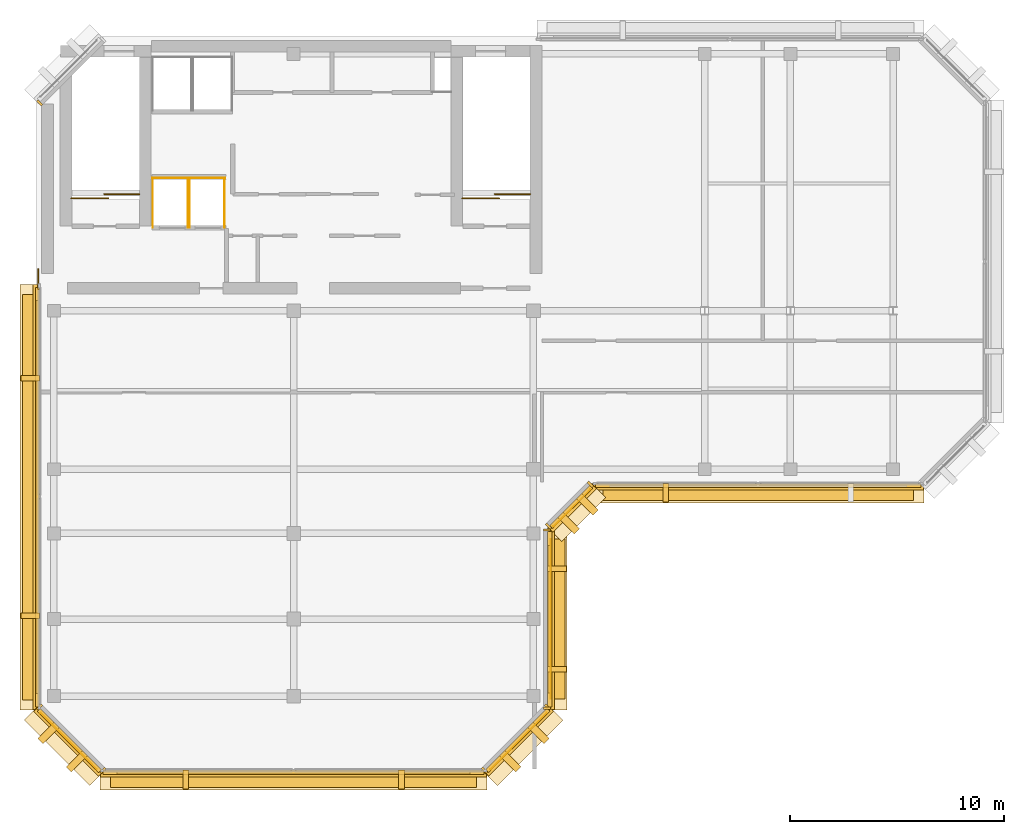
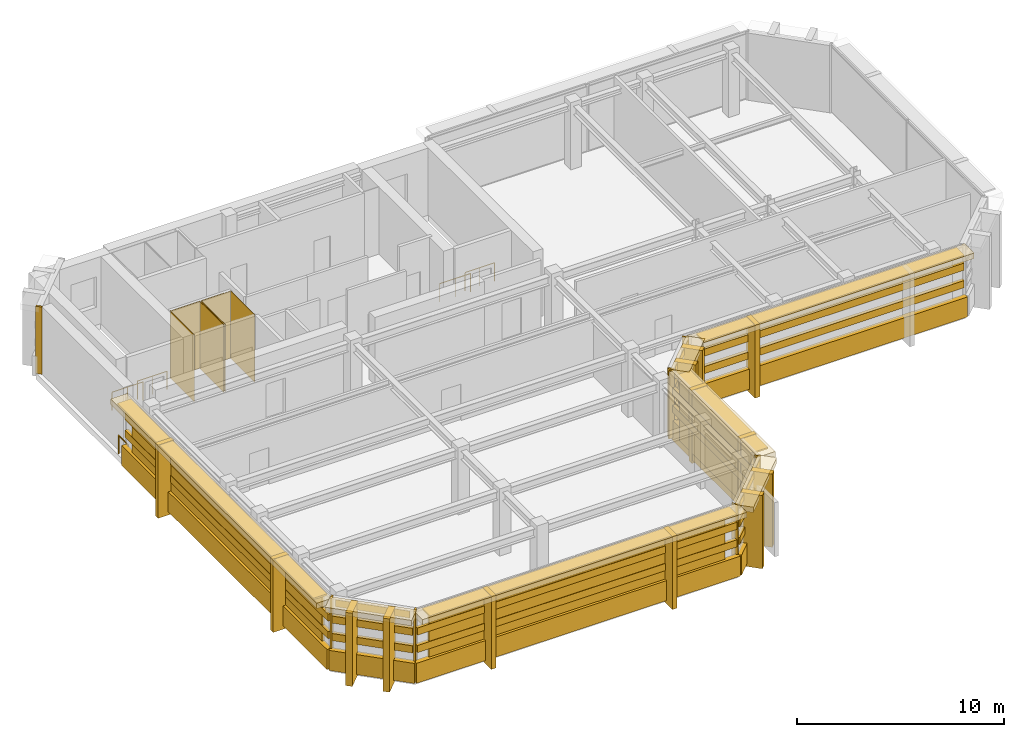
# One storey, part 6 of 7: 60 coverings, 7 shading devices, 5 railings.
"""IFC4 building model written with IfcOpenShell, lengths in metres."""

from ifc_helpers import new_model, si_unit, direction, frame, origin, origin_2d, place, context, subcontext, project, spatial, polyline, rectangle, circle, outline, extrude, material, layer, layer_set, type_object, element, save


model = new_model("IFC4")

# Units and contexts
model_context = context("Model", 3, precision=1e-05, world=origin(), true_north=direction((0.0, 1.0)))
body_context = subcontext(model_context, "Body", "Model", "MODEL_VIEW")
ifc_project = project(units=[si_unit("LENGTHUNIT", "METRE"), si_unit("AREAUNIT", "SQUARE_METRE"), si_unit("VOLUMEUNIT", "CUBIC_METRE"), si_unit("PLANEANGLEUNIT", "RADIAN"), si_unit("MASSUNIT", "GRAM", prefix="KILO")], contexts=[model_context])

# Site, building, storey
site_placement = place(None, origin())
site = spatial("IfcSite", under=ifc_project, at=site_placement, CompositionType="ELEMENT")
building_placement = place(site_placement, origin())
building = spatial("IfcBuilding", under=site, at=building_placement, Name="Kefirva Bronze Tower", CompositionType="ELEMENT")
storey_placement = place(building_placement, frame((0.0, 0.0, 369.929931640625)))
storey = spatial("IfcBuildingStorey", under=building, at=storey_placement, Name="L90", CompositionType="ELEMENT", Elevation=369.929931640625)

# Coverings
ifc_material_1 = material(Name="Bronze anodised aluminium", Category="aluminium")
ifc_layer_1 = layer(ifc_material_1, 0.02001953125, Name="Bronze anodised aluminium")
ifc_layer_set_1 = layer_set([ifc_layer_1], Name="Bronze anodised aluminium")
covering_type_1 = type_object("IfcCoveringType", Name="Anodised Bronze Spandrel Cladding 20mm", PredefinedType="CLADDING", material=ifc_layer_set_1)
covering_1_placement = place(storey_placement, frame((12.0, 11.56005859375, -0.15966796875), z_axis=(0.0, 0.0, 1.0), x_axis=(1.0, 0.0, 0.0)))
element("IfcCovering", 1, at=covering_1_placement, inside=storey, type_object=covering_type_1, Name="L90 Streamline Horizontal Spandrel Band 0", PredefinedType="CLADDING", context=body_context, shape_type="SweptSolid", body=[
    extrude(rectangle(XDim=18.0400390625, YDim=0.280029296875, at=origin_2d()), origin(), (0.0, 0.0, 1.0), 1.179931640625),
])
for number, where, z_axis, x_axis, name in (
    (2, (12.0, 11.639892578125, 1.532470703125), (0.0, 0.0, 1.0), (1.0, 0.0, 0.0), "L90 Recessed Zone-Break Bronze Louvre Band 0-1"),
    (3, (12.0, 11.639892578125, 2.56201171875), (0.0, 0.0, 1.0), (1.0, 0.0, 0.0), "L90 Recessed Zone-Break Bronze Louvre Band 0-2"),
):
    element("IfcCovering", number, at=place(storey_placement, frame(where, z_axis=z_axis, x_axis=x_axis)), inside=storey, type_object=covering_type_1, Name=name, PredefinedType="CLADDING", context=body_context, shape_type="SweptSolid", body=[
        extrude(rectangle(XDim=17.800048828125, YDim=0.199951171875, at=origin_2d()), origin(), (0.0, 0.0, 1.0), 0.419921875),
    ])
covering_2_placement = place(storey_placement, frame((22.507080078125, 13.093017578125, 3.5400390625), z_axis=(0.0, 0.0, 1.0), x_axis=(0.707106781187, 0.707106781187, 0.0)))
element("IfcCovering", 4, at=covering_2_placement, inside=storey, type_object=covering_type_1, Name="L90 Bronze Spandrel Cladding 1", PredefinedType="CLADDING", context=body_context, shape_type="SweptSolid", body=[
    extrude(rectangle(XDim=3.719482421875, YDim=0.02001953125, at=origin_2d()), origin(), (0.0, 0.0, 1.0), 0.39990234375),
])
for number, where, z_axis, x_axis, name in (
    (5, (20.91162109375, 11.73779296875, 0.0), (0.0, 0.0, 1.0), (0.707106781187, 0.707106781187, 0.0), "L90 Facade Joint Closure Panel 1S"),
    (6, (23.862060546875, 14.688232421875, 0.0), (0.0, 0.0, 1.0), (0.707106781187, 0.707106781187, 0.0), "L90 Facade Joint Closure Panel 1E"),
):
    element("IfcCovering", number, at=place(storey_placement, frame(where, z_axis=z_axis, x_axis=x_axis)), inside=storey, type_object=covering_type_1, Name=name, PredefinedType="CLADDING", context=body_context, shape_type="SweptSolid", body=[
        extrude(rectangle(XDim=0.10009765625, YDim=0.320068359375, at=origin_2d()), origin(), (0.0, 0.0, 1.0), 3.9599609375),
    ])
covering_3_placement = place(storey_placement, frame((22.5283203125, 13.07177734375, -0.15966796875), z_axis=(0.0, 0.0, 1.0), x_axis=(0.707106781187, 0.707106781187, 0.0)))
element("IfcCovering", 7, at=covering_3_placement, inside=storey, type_object=covering_type_1, Name="L90 Streamline Horizontal Spandrel Band 1", PredefinedType="CLADDING", context=body_context, shape_type="SweptSolid", body=[
    extrude(rectangle(XDim=4.28271484375, YDim=0.280029296875, at=origin_2d()), origin(), (0.0, 0.0, 1.0), 1.179931640625),
])
for number, where, z_axis, x_axis, name in (
    (8, (22.4716796875, 13.12841796875, 1.532470703125), (0.0, 0.0, 1.0), (0.707106781187, 0.707106781187, 0.0), "L90 Recessed Zone-Break Bronze Louvre Band 1-1"),
    (9, (22.4716796875, 13.12841796875, 2.56201171875), (0.0, 0.0, 1.0), (0.707106781187, 0.707106781187, 0.0), "L90 Recessed Zone-Break Bronze Louvre Band 1-2"),
):
    element("IfcCovering", number, at=place(storey_placement, frame(where, z_axis=z_axis, x_axis=x_axis)), inside=storey, type_object=covering_type_1, Name=name, PredefinedType="CLADDING", context=body_context, shape_type="SweptSolid", body=[
        extrude(rectangle(XDim=4.04248046875, YDim=0.199951171875, at=origin_2d()), origin(), (0.0, 0.0, 1.0), 0.419921875),
    ])
covering_4_placement = place(storey_placement, frame((24.010009765625, 18.800048828125, 3.5400390625), z_axis=(0.0, 0.0, 1.0), x_axis=(0.0, 1.0, 0.0)))
element("IfcCovering", 10, at=covering_4_placement, inside=storey, type_object=covering_type_1, Name="L90 Bronze Spandrel Cladding 2", PredefinedType="CLADDING", context=body_context, shape_type="SweptSolid", body=[
    extrude(rectangle(XDim=7.4609375, YDim=0.02001953125, at=origin_2d()), origin(), (0.0, 0.0, 1.0), 0.39990234375),
])
for number, where, z_axis, x_axis, name in (
    (11, (23.840087890625, 14.635009765625, 0.0), (0.0, 0.0, 1.0), (0.0, 1.0, 0.0), "L90 Facade Joint Closure Panel 2S"),
    (12, (23.840087890625, 22.965087890625, 0.0), (0.0, 0.0, 1.0), (0.0, 1.0, 0.0), "L90 Facade Joint Closure Panel 2E"),
):
    element("IfcCovering", number, at=place(storey_placement, frame(where, z_axis=z_axis, x_axis=x_axis)), inside=storey, type_object=covering_type_1, Name=name, PredefinedType="CLADDING", context=body_context, shape_type="SweptSolid", body=[
        extrude(rectangle(XDim=0.10009765625, YDim=0.320068359375, at=origin_2d()), origin(), (0.0, 0.0, 1.0), 3.9599609375),
    ])
covering_5_placement = place(storey_placement, frame((24.0400390625, 18.800048828125, -0.15966796875), z_axis=(0.0, 0.0, 1.0), x_axis=(0.0, 1.0, 0.0)))
element("IfcCovering", 13, at=covering_5_placement, inside=storey, type_object=covering_type_1, Name="L90 Streamline Horizontal Spandrel Band 2", PredefinedType="CLADDING", context=body_context, shape_type="SweptSolid", body=[
    extrude(rectangle(XDim=8.43994140625, YDim=0.280029296875, at=origin_2d()), origin(), (0.0, 0.0, 1.0), 1.179931640625),
])
for number, where, z_axis, x_axis, name in (
    (14, (23.9599609375, 18.800048828125, 1.532470703125), (0.0, 0.0, 1.0), (0.0, 1.0, 0.0), "L90 Recessed Zone-Break Bronze Louvre Band 2-1"),
    (15, (23.9599609375, 18.800048828125, 2.56201171875), (0.0, 0.0, 1.0), (0.0, 1.0, 0.0), "L90 Recessed Zone-Break Bronze Louvre Band 2-2"),
):
    element("IfcCovering", number, at=place(storey_placement, frame(where, z_axis=z_axis, x_axis=x_axis)), inside=storey, type_object=covering_type_1, Name=name, PredefinedType="CLADDING", context=body_context, shape_type="SweptSolid", body=[
        extrude(rectangle(XDim=8.199951171875, YDim=0.199951171875, at=origin_2d()), origin(), (0.0, 0.0, 1.0), 0.419921875),
    ])
covering_6_placement = place(storey_placement, frame((25.007080078125, 23.992919921875, 3.5400390625), z_axis=(0.0, 0.0, 1.0), x_axis=(0.707106781187, 0.707106781187, 0.0)))
element("IfcCovering", 16, at=covering_6_placement, inside=storey, type_object=covering_type_1, Name="L90 Bronze Spandrel Cladding 3", PredefinedType="CLADDING", context=body_context, shape_type="SweptSolid", body=[
    extrude(rectangle(XDim=2.446533203125, YDim=0.02001953125, at=origin_2d()), origin(), (0.0, 0.0, 1.0), 0.39990234375),
])
for number, where, z_axis, x_axis, name in (
    (17, (23.91162109375, 23.137939453125, 0.0), (0.0, 0.0, 1.0), (0.707106781187, 0.707106781187, 0.0), "L90 Facade Joint Closure Panel 3S"),
    (18, (25.862060546875, 25.08837890625, 0.0), (0.0, 0.0, 1.0), (0.707106781187, 0.707106781187, 0.0), "L90 Facade Joint Closure Panel 3E"),
):
    element("IfcCovering", number, at=place(storey_placement, frame(where, z_axis=z_axis, x_axis=x_axis)), inside=storey, type_object=covering_type_1, Name=name, PredefinedType="CLADDING", context=body_context, shape_type="SweptSolid", body=[
        extrude(rectangle(XDim=0.10009765625, YDim=0.320068359375, at=origin_2d()), origin(), (0.0, 0.0, 1.0), 3.9599609375),
    ])
covering_7_placement = place(storey_placement, frame((25.0283203125, 23.9716796875, -0.15966796875), z_axis=(0.0, 0.0, 1.0), x_axis=(0.707106781187, 0.707106781187, 0.0)))
element("IfcCovering", 19, at=covering_7_placement, inside=storey, type_object=covering_type_1, Name="L90 Streamline Horizontal Spandrel Band 3", PredefinedType="CLADDING", context=body_context, shape_type="SweptSolid", body=[
    extrude(rectangle(XDim=2.868408203125, YDim=0.280029296875, at=origin_2d()), origin(), (0.0, 0.0, 1.0), 1.179931640625),
])
for number, where, z_axis, x_axis, name in (
    (20, (24.9716796875, 24.0283203125, 1.532470703125), (0.0, 0.0, 1.0), (0.707106781187, 0.707106781187, 0.0), "L90 Recessed Zone-Break Bronze Louvre Band 3-1"),
    (21, (24.9716796875, 24.0283203125, 2.56201171875), (0.0, 0.0, 1.0), (0.707106781187, 0.707106781187, 0.0), "L90 Recessed Zone-Break Bronze Louvre Band 3-2"),
):
    element("IfcCovering", number, at=place(storey_placement, frame(where, z_axis=z_axis, x_axis=x_axis)), inside=storey, type_object=covering_type_1, Name=name, PredefinedType="CLADDING", context=body_context, shape_type="SweptSolid", body=[
        extrude(rectangle(XDim=2.62841796875, YDim=0.199951171875, at=origin_2d()), origin(), (0.0, 0.0, 1.0), 0.419921875),
    ])
covering_8_placement = place(storey_placement, frame((33.699951171875, 24.9599609375, -0.15966796875), z_axis=(0.0, 0.0, 1.0), x_axis=(1.0, 0.0, 0.0)))
element("IfcCovering", 22, at=covering_8_placement, inside=storey, type_object=covering_type_1, Name="L90 Streamline Horizontal Spandrel Band 4", PredefinedType="CLADDING", context=body_context, shape_type="SweptSolid", body=[
    extrude(rectangle(XDim=15.43994140625, YDim=0.280029296875, at=origin_2d()), origin(), (0.0, 0.0, 1.0), 1.179931640625),
])
for number, where, z_axis, x_axis, name in (
    (23, (33.699951171875, 25.0400390625, 1.532470703125), (0.0, 0.0, 1.0), (1.0, 0.0, 0.0), "L90 Recessed Zone-Break Bronze Louvre Band 4-1"),
    (24, (33.699951171875, 25.0400390625, 2.56201171875), (0.0, 0.0, 1.0), (1.0, 0.0, 0.0), "L90 Recessed Zone-Break Bronze Louvre Band 4-2"),
):
    element("IfcCovering", number, at=place(storey_placement, frame(where, z_axis=z_axis, x_axis=x_axis)), inside=storey, type_object=covering_type_1, Name=name, PredefinedType="CLADDING", context=body_context, shape_type="SweptSolid", body=[
        extrude(rectangle(XDim=15.199951171875, YDim=0.199951171875, at=origin_2d()), origin(), (0.0, 0.0, 1.0), 0.419921875),
    ])
covering_9_placement = place(storey_placement, frame((0.137939453125, 42.91162109375, 0.0), z_axis=(0.0, 0.0, 1.0), x_axis=(-0.707106781187, -0.707106781187, 0.0)))
element("IfcCovering", 25, at=covering_9_placement, inside=storey, type_object=covering_type_1, Name="L90 Facade Joint Closure Panel 6E", PredefinedType="CLADDING", context=body_context, shape_type="SweptSolid", body=[
    extrude(rectangle(XDim=0.10009765625, YDim=0.320068359375, at=origin_2d()), origin(), (0.0, 0.0, 1.0), 3.9599609375),
])
covering_10_placement = place(storey_placement, frame((-0.0400390625, 24.49755859375, -0.15966796875), z_axis=(0.0, 0.0, 1.0), x_axis=(0.0, -1.0, 0.0)))
element("IfcCovering", 26, at=covering_10_placement, inside=storey, type_object=covering_type_1, Name="L90 Streamline Horizontal Spandrel Band 10", PredefinedType="CLADDING", context=body_context, shape_type="SweptSolid", body=[
    extrude(rectangle(XDim=19.8349609375, YDim=0.280029296875, at=origin_2d()), origin(), (0.0, 0.0, 1.0), 1.179931640625),
])
for number, where, z_axis, x_axis, name in (
    (27, (0.0400390625, 24.49755859375, 1.532470703125), (0.0, 0.0, 1.0), (0.0, -1.0, 0.0), "L90 Recessed Zone-Break Bronze Louvre Band 10-1"),
    (28, (0.0400390625, 24.49755859375, 2.56201171875), (0.0, 0.0, 1.0), (0.0, -1.0, 0.0), "L90 Recessed Zone-Break Bronze Louvre Band 10-2"),
):
    element("IfcCovering", number, at=place(storey_placement, frame(where, z_axis=z_axis, x_axis=x_axis)), inside=storey, type_object=covering_type_1, Name=name, PredefinedType="CLADDING", context=body_context, shape_type="SweptSolid", body=[
        extrude(rectangle(XDim=19.594970703125, YDim=0.199951171875, at=origin_2d()), origin(), (0.0, 0.0, 1.0), 0.419921875),
    ])
covering_11_placement = place(storey_placement, frame((1.492919921875, 13.093017578125, 3.5400390625), z_axis=(0.0, 0.0, 1.0), x_axis=(0.707106781187, -0.707106781187, 0.0)))
element("IfcCovering", 29, at=covering_11_placement, inside=storey, type_object=covering_type_1, Name="L90 Bronze Spandrel Cladding 7", PredefinedType="CLADDING", context=body_context, shape_type="SweptSolid", body=[
    extrude(rectangle(XDim=3.719482421875, YDim=0.02001953125, at=origin_2d()), origin(), (0.0, 0.0, 1.0), 0.39990234375),
])
for number, where, z_axis, x_axis, name in (
    (30, (0.137939453125, 14.688232421875, 0.0), (0.0, 0.0, 1.0), (0.707106781187, -0.707106781187, 0.0), "L90 Facade Joint Closure Panel 7S"),
    (31, (3.08837890625, 11.73779296875, 0.0), (0.0, 0.0, 1.0), (0.707106781187, -0.707106781187, 0.0), "L90 Facade Joint Closure Panel 7E"),
):
    element("IfcCovering", number, at=place(storey_placement, frame(where, z_axis=z_axis, x_axis=x_axis)), inside=storey, type_object=covering_type_1, Name=name, PredefinedType="CLADDING", context=body_context, shape_type="SweptSolid", body=[
        extrude(rectangle(XDim=0.10009765625, YDim=0.320068359375, at=origin_2d()), origin(), (0.0, 0.0, 1.0), 3.9599609375),
    ])
covering_12_placement = place(storey_placement, frame((1.4716796875, 13.07177734375, -0.15966796875), z_axis=(0.0, 0.0, 1.0), x_axis=(0.707106781187, -0.707106781187, 0.0)))
element("IfcCovering", 32, at=covering_12_placement, inside=storey, type_object=covering_type_1, Name="L90 Streamline Horizontal Spandrel Band 11", PredefinedType="CLADDING", context=body_context, shape_type="SweptSolid", body=[
    extrude(rectangle(XDim=4.28271484375, YDim=0.280029296875, at=origin_2d()), origin(), (0.0, 0.0, 1.0), 1.179931640625),
])
for number, where, z_axis, x_axis, name in (
    (33, (1.5283203125, 13.12841796875, 1.532470703125), (0.0, 0.0, 1.0), (0.707106781187, -0.707106781187, 0.0), "L90 Recessed Zone-Break Bronze Louvre Band 11-1"),
    (34, (1.5283203125, 13.12841796875, 2.56201171875), (0.0, 0.0, 1.0), (0.707106781187, -0.707106781187, 0.0), "L90 Recessed Zone-Break Bronze Louvre Band 11-2"),
):
    element("IfcCovering", number, at=place(storey_placement, frame(where, z_axis=z_axis, x_axis=x_axis)), inside=storey, type_object=covering_type_1, Name=name, PredefinedType="CLADDING", context=body_context, shape_type="SweptSolid", body=[
        extrude(rectangle(XDim=4.04248046875, YDim=0.199951171875, at=origin_2d()), origin(), (0.0, 0.0, 1.0), 0.419921875),
    ])
covering_13_placement = place(storey_placement, origin())
element("IfcCovering", 35, at=covering_13_placement, inside=storey, type_object=covering_type_1, Name="L90 Lift FF1 Hoistway Liner N", PredefinedType="CLADDING", context=body_context, shape_type="SweptSolid", body=[
    extrude(outline(polyline([(5.39990234375, 39.389892578125), (7.080078125, 39.389892578125), (7.080078125, 39.409912109375), (5.39990234375, 39.409912109375), (5.39990234375, 39.389892578125)])), origin(), (0.0, 0.0, 1.0), 3.9599609375),
])
covering_14_placement = place(storey_placement, origin())
element("IfcCovering", 36, at=covering_14_placement, inside=storey, type_object=covering_type_1, Name="L90 Lift FF1 Hoistway Liner W", PredefinedType="CLADDING", context=body_context, shape_type="SweptSolid", body=[
    extrude(outline(polyline([(5.409912109375, 37.080078125), (5.429931640625, 37.080078125), (5.429931640625, 39.419921875), (5.409912109375, 39.419921875), (5.409912109375, 37.080078125)])), origin(), (0.0, 0.0, 1.0), 3.9599609375),
])
covering_15_placement = place(storey_placement, origin())
element("IfcCovering", 37, at=covering_15_placement, inside=storey, type_object=covering_type_1, Name="L90 Lift FF1 Hoistway Liner E", PredefinedType="CLADDING", context=body_context, shape_type="SweptSolid", body=[
    extrude(outline(polyline([(7.050048828125, 37.080078125), (7.070068359375, 37.080078125), (7.070068359375, 39.419921875), (7.050048828125, 39.419921875), (7.050048828125, 37.080078125)])), origin(), (0.0, 0.0, 1.0), 3.9599609375),
])
covering_16_placement = place(storey_placement, origin())
element("IfcCovering", 38, at=covering_16_placement, inside=storey, type_object=covering_type_1, Name="L90 Lift FF2 Hoistway Liner N", PredefinedType="CLADDING", context=body_context, shape_type="SweptSolid", body=[
    extrude(outline(polyline([(7.1201171875, 39.389892578125), (8.800048828125, 39.389892578125), (8.800048828125, 39.409912109375), (7.1201171875, 39.409912109375), (7.1201171875, 39.389892578125)])), origin(), (0.0, 0.0, 1.0), 3.9599609375),
])
covering_17_placement = place(storey_placement, origin())
element("IfcCovering", 39, at=covering_17_placement, inside=storey, type_object=covering_type_1, Name="L90 Lift FF2 Hoistway Liner W", PredefinedType="CLADDING", context=body_context, shape_type="SweptSolid", body=[
    extrude(outline(polyline([(7.1298828125, 37.080078125), (7.14990234375, 37.080078125), (7.14990234375, 39.419921875), (7.1298828125, 39.419921875), (7.1298828125, 37.080078125)])), origin(), (0.0, 0.0, 1.0), 3.9599609375),
])
covering_18_placement = place(storey_placement, origin())
element("IfcCovering", 40, at=covering_18_placement, inside=storey, type_object=covering_type_1, Name="L90 Lift FF2 Hoistway Liner E", PredefinedType="CLADDING", context=body_context, shape_type="SweptSolid", body=[
    extrude(outline(polyline([(8.77001953125, 37.080078125), (8.7900390625, 37.080078125), (8.7900390625, 39.419921875), (8.77001953125, 39.419921875), (8.77001953125, 37.080078125)])), origin(), (0.0, 0.0, 1.0), 3.9599609375),
])

# Shading devices
ifc_layer_2 = layer(ifc_material_1, 0.090087890625, Name="Bronze anodised aluminium")
ifc_layer_set_2 = layer_set([ifc_layer_2], Name="Bronze anodised aluminium")
shading_device_type_1 = type_object("IfcShadingDeviceType", Name="Horizontal Bronze Sunshade Band 750mm", PredefinedType="JALOUSIE", material=ifc_layer_set_2)
shading_device_1_placement = place(storey_placement, frame((12.0, 11.304931640625, 3.85498046875), z_axis=(0.0, 0.0, 1.0), x_axis=(1.0, 0.0, 0.0)))
element("IfcShadingDevice", 41, at=shading_device_1_placement, inside=storey, type_object=shading_device_type_1, Name="L90 Horizontal Bronze Sunshade Band 0", PredefinedType="JALOUSIE", context=body_context, shape_type="SweptSolid", body=[
    extrude(rectangle(XDim=17.090087890625, YDim=0.75, at=origin_2d()), origin(), (0.0, 0.0, 1.0), 0.090087890625),
])
shading_device_2_placement = place(storey_placement, frame((24.294921875, 18.800048828125, 3.85498046875), z_axis=(0.0, 0.0, 1.0), x_axis=(0.0, 1.0, 0.0)))
element("IfcShadingDevice", 42, at=shading_device_2_placement, inside=storey, type_object=shading_device_type_1, Name="L90 Horizontal Bronze Sunshade Band 2", PredefinedType="JALOUSIE", context=body_context, shape_type="SweptSolid", body=[
    extrude(rectangle(XDim=7.489990234375, YDim=0.75, at=origin_2d()), origin(), (0.0, 0.0, 1.0), 0.090087890625),
])
shading_device_3_placement = place(storey_placement, frame((33.699951171875, 24.705078125, 3.85498046875), z_axis=(0.0, 0.0, 1.0), x_axis=(1.0, 0.0, 0.0)))
element("IfcShadingDevice", 43, at=shading_device_3_placement, inside=storey, type_object=shading_device_type_1, Name="L90 Horizontal Bronze Sunshade Band 4", PredefinedType="JALOUSIE", context=body_context, shape_type="SweptSolid", body=[
    extrude(rectangle(XDim=14.489990234375, YDim=0.75, at=origin_2d()), origin(), (0.0, 0.0, 1.0), 0.090087890625),
])
shading_device_4_placement = place(storey_placement, frame((-0.294921875, 24.49755859375, 3.85498046875), z_axis=(0.0, 0.0, 1.0), x_axis=(0.0, -1.0, 0.0)))
element("IfcShadingDevice", 44, at=shading_device_4_placement, inside=storey, type_object=shading_device_type_1, Name="L90 Horizontal Bronze Sunshade Band 10", PredefinedType="JALOUSIE", context=body_context, shape_type="SweptSolid", body=[
    extrude(rectangle(XDim=18.93994140625, YDim=0.75, at=origin_2d()), origin(), (0.0, 0.0, 1.0), 0.090087890625),
])

# Railings
ifc_material_2 = material(Name="Stainless steel 316", Category="steel")
railing_type = type_object("IfcRailingType", Name="Interior Stair Guardrail 1100mm", PredefinedType="GUARDRAIL", material=ifc_material_2)
for number, where, name in (
    (45, (4.800048828125, 38.64990234375, 0.0), "L90 ST-1 top well guard 1"),
    (46, (23.050048828125, 38.64990234375, 0.0), "L90 ST-2 top well guard 1"),
):
    element("IfcRailing", number, at=place(storey_placement, frame(where)), inside=storey, type_object=railing_type, Name=name, PredefinedType="GUARDRAIL", context=body_context, shape_type="SweptSolid", body=[
        extrude(circle(Radius=0.02392578125, at=origin_2d()), frame((0.0, 0.0, 1.076171875), z_axis=(-1.0, 0.0, 0.0), x_axis=(0.0, -1.0, 0.0)), (0.0, 0.0, 1.0), 1.650146484375),
        extrude(circle(Radius=0.02099609375, at=origin_2d()), origin(), (0.0, 0.0, 1.0), 1.052001953125),
        extrude(circle(Radius=0.02099609375, at=origin_2d()), frame((-0.8251953125, 0.0, 0.0)), (0.0, 0.0, 1.0), 1.052001953125),
        extrude(circle(Radius=0.02099609375, at=origin_2d()), frame((-1.650146484375, 0.0, 0.0)), (0.0, 0.0, 1.0), 1.052001953125),
    ])
railing_1_placement = place(storey_placement, frame((1.6201171875, 38.449951171875, 0.0)))
element("IfcRailing", 47, at=railing_1_placement, inside=storey, type_object=railing_type, Name="L90 Stair 1 Top Well Guardrail", PredefinedType="GUARDRAIL", context=body_context, shape_type="SweptSolid", body=[
    extrude(circle(Radius=0.02392578125, at=origin_2d()), frame((0.0, 0.0, 1.076171875), z_axis=(1.0, 0.0, 0.0), x_axis=(0.0, 1.0, 0.0)), (0.0, 0.0, 1.0), 1.72998046875),
    extrude(circle(Radius=0.02099609375, at=origin_2d()), origin(), (0.0, 0.0, 1.0), 1.052001953125),
    extrude(circle(Radius=0.02099609375, at=origin_2d()), frame((0.864990234375, 0.0, 0.0)), (0.0, 0.0, 1.0), 1.052001953125),
    extrude(circle(Radius=0.02099609375, at=origin_2d()), frame((1.72998046875, 0.0, 0.0)), (0.0, 0.0, 1.0), 1.052001953125),
])
railing_2_placement = place(storey_placement, frame((19.8798828125, 38.449951171875, 0.0)))
element("IfcRailing", 48, at=railing_2_placement, inside=storey, type_object=railing_type, Name="L90 Stair 2 Top Well Guardrail", PredefinedType="GUARDRAIL", context=body_context, shape_type="SweptSolid", body=[
    extrude(circle(Radius=0.02392578125, at=origin_2d()), frame((0.0, 0.0, 1.076171875), z_axis=(1.0, 0.0, 0.0), x_axis=(0.0, 1.0, 0.0)), (0.0, 0.0, 1.0), 1.72021484375),
    extrude(circle(Radius=0.02099609375, at=origin_2d()), origin(), (0.0, 0.0, 1.0), 1.052001953125),
    extrude(circle(Radius=0.02099609375, at=origin_2d()), frame((0.860107421875, 0.0, 0.0)), (0.0, 0.0, 1.0), 1.052001953125),
    extrude(circle(Radius=0.02099609375, at=origin_2d()), frame((1.72021484375, 0.0, 0.0)), (0.0, 0.0, 1.0), 1.052001953125),
])
railing_3_placement = place(storey_placement, frame((0.080078125, 34.199951171875, 0.0)))
element("IfcRailing", 49, at=railing_3_placement, inside=storey, type_object=railing_type, Name="L90 West Core Junction Guardrail", PredefinedType="GUARDRAIL", context=body_context, shape_type="SweptSolid", body=[
    extrude(circle(Radius=0.02392578125, at=origin_2d()), frame((0.0, 0.0, 1.076171875), z_axis=(0.0, 1.0, 0.0), x_axis=(-1.0, 0.0, 0.0)), (0.0, 0.0, 1.0), 0.949951171875),
    extrude(circle(Radius=0.02099609375, at=origin_2d()), origin(), (0.0, 0.0, 1.0), 1.052001953125),
    extrude(circle(Radius=0.02099609375, at=origin_2d()), frame((0.0, 0.949951171875, 0.0)), (0.0, 0.0, 1.0), 1.052001953125),
])

# Shading devices
ifc_layer_3 = layer(ifc_material_1, 0.159912109375, Name="Bronze anodised aluminium")
ifc_layer_set_3 = layer_set([ifc_layer_3], Name="Bronze anodised aluminium")
shading_device_type_2 = type_object("IfcShadingDeviceType", Name="Recessed Zone-Break Acoustic Louvre Screen", PredefinedType="SHUTTER", material=ifc_layer_set_3)
shading_device_5_placement = place(storey_placement, frame((12.0, 11.639892578125, 0.25), z_axis=(0.0, 0.0, 1.0), x_axis=(1.0, 0.0, 0.0)))
element("IfcShadingDevice", 50, at=shading_device_5_placement, inside=storey, type_object=shading_device_type_2, Name="L90 Acoustic Plant Louvre Screen 0", PredefinedType="SHUTTER", context=body_context, shape_type="SweptSolid", body=[
    extrude(rectangle(XDim=16.489990234375, YDim=0.159912109375, at=origin_2d()), origin(), (0.0, 0.0, 1.0), 3.4599609375),
])
shading_device_6_placement = place(storey_placement, frame((23.9599609375, 18.800048828125, 0.25), z_axis=(0.0, 0.0, 1.0), x_axis=(0.0, 1.0, 0.0)))
element("IfcShadingDevice", 51, at=shading_device_6_placement, inside=storey, type_object=shading_device_type_2, Name="L90 Acoustic Plant Louvre Screen 2", PredefinedType="SHUTTER", context=body_context, shape_type="SweptSolid", body=[
    extrude(rectangle(XDim=6.889892578125, YDim=0.159912109375, at=origin_2d()), origin(), (0.0, 0.0, 1.0), 3.4599609375),
])
shading_device_7_placement = place(storey_placement, frame((0.0400390625, 24.49755859375, 0.25), z_axis=(0.0, 0.0, 1.0), x_axis=(0.0, -1.0, 0.0)))
element("IfcShadingDevice", 52, at=shading_device_7_placement, inside=storey, type_object=shading_device_type_2, Name="L90 Acoustic Plant Louvre Screen 10", PredefinedType="SHUTTER", context=body_context, shape_type="SweptSolid", body=[
    extrude(rectangle(XDim=18.340087890625, YDim=0.159912109375, at=origin_2d()), origin(), (0.0, 0.0, 1.0), 3.4599609375),
])

# Coverings
ifc_layer_4 = layer(ifc_material_1, 0.179931640625, Name="Bronze anodised aluminium")
ifc_layer_set_4 = layer_set([ifc_layer_4], Name="Bronze anodised aluminium")
covering_type_2 = type_object("IfcCoveringType", Name="Streamline Bronze Sunshade Eyebrow Cladding 180mm", PredefinedType="CLADDING", material=ifc_layer_set_4)
covering_19_placement = place(storey_placement, frame((12.0, 11.2900390625, 3.64013671875), z_axis=(0.0, 0.0, 1.0), x_axis=(1.0, 0.0, 0.0)))
element("IfcCovering", 53, at=covering_19_placement, inside=storey, type_object=covering_type_2, Name="L90 Streamline Bronze Sunshade Eyebrow 0", PredefinedType="CLADDING", context=body_context, shape_type="SweptSolid", body=[
    extrude(rectangle(XDim=18.080078125, YDim=0.93994140625, at=origin_2d()), origin(), (0.0, 0.0, 1.0), 0.320068359375),
])
covering_20_placement = place(storey_placement, frame((22.71923828125, 12.880859375, 3.64013671875), z_axis=(0.0, 0.0, 1.0), x_axis=(0.707106781187, 0.707106781187, 0.0)))
element("IfcCovering", 54, at=covering_20_placement, inside=storey, type_object=covering_type_2, Name="L90 Streamline Bronze Sunshade Eyebrow 1", PredefinedType="CLADDING", context=body_context, shape_type="SweptSolid", body=[
    extrude(rectangle(XDim=4.322509765625, YDim=0.93994140625, at=origin_2d()), origin(), (0.0, 0.0, 1.0), 0.320068359375),
])
covering_21_placement = place(storey_placement, frame((24.31005859375, 18.800048828125, 3.64013671875), z_axis=(0.0, 0.0, 1.0), x_axis=(0.0, 1.0, 0.0)))
element("IfcCovering", 55, at=covering_21_placement, inside=storey, type_object=covering_type_2, Name="L90 Streamline Bronze Sunshade Eyebrow 2", PredefinedType="CLADDING", context=body_context, shape_type="SweptSolid", body=[
    extrude(rectangle(XDim=8.47998046875, YDim=0.93994140625, at=origin_2d()), origin(), (0.0, 0.0, 1.0), 0.320068359375),
])
covering_22_placement = place(storey_placement, frame((25.21923828125, 23.78076171875, 3.64013671875), z_axis=(0.0, 0.0, 1.0), x_axis=(0.707106781187, 0.707106781187, 0.0)))
element("IfcCovering", 56, at=covering_22_placement, inside=storey, type_object=covering_type_2, Name="L90 Streamline Bronze Sunshade Eyebrow 3", PredefinedType="CLADDING", context=body_context, shape_type="SweptSolid", body=[
    extrude(rectangle(XDim=2.908447265625, YDim=0.93994140625, at=origin_2d()), origin(), (0.0, 0.0, 1.0), 0.320068359375),
])
covering_23_placement = place(storey_placement, frame((33.699951171875, 24.68994140625, 3.64013671875), z_axis=(0.0, 0.0, 1.0), x_axis=(1.0, 0.0, 0.0)))
element("IfcCovering", 57, at=covering_23_placement, inside=storey, type_object=covering_type_2, Name="L90 Streamline Bronze Sunshade Eyebrow 4", PredefinedType="CLADDING", context=body_context, shape_type="SweptSolid", body=[
    extrude(rectangle(XDim=15.47998046875, YDim=0.93994140625, at=origin_2d()), origin(), (0.0, 0.0, 1.0), 0.320068359375),
])
covering_24_placement = place(storey_placement, frame((-0.31005859375, 24.49755859375, 3.64013671875), z_axis=(0.0, 0.0, 1.0), x_axis=(0.0, -1.0, 0.0)))
element("IfcCovering", 58, at=covering_24_placement, inside=storey, type_object=covering_type_2, Name="L90 Streamline Bronze Sunshade Eyebrow 10", PredefinedType="CLADDING", context=body_context, shape_type="SweptSolid", body=[
    extrude(rectangle(XDim=19.875, YDim=0.93994140625, at=origin_2d()), origin(), (0.0, 0.0, 1.0), 0.320068359375),
])
covering_25_placement = place(storey_placement, frame((1.28076171875, 12.880859375, 3.64013671875), z_axis=(0.0, 0.0, 1.0), x_axis=(0.707106781187, -0.707106781187, 0.0)))
element("IfcCovering", 59, at=covering_25_placement, inside=storey, type_object=covering_type_2, Name="L90 Streamline Bronze Sunshade Eyebrow 11", PredefinedType="CLADDING", context=body_context, shape_type="SweptSolid", body=[
    extrude(rectangle(XDim=4.322509765625, YDim=0.93994140625, at=origin_2d()), origin(), (0.0, 0.0, 1.0), 0.320068359375),
])
ifc_layer_5 = layer(ifc_material_1, 0.260009765625, Name="Bronze anodised aluminium")
ifc_layer_set_5 = layer_set([ifc_layer_5], Name="Bronze anodised aluminium")
covering_type_3 = type_object("IfcCoveringType", Name="Unbroken Bronze Buttress Fin Cladding 260mm", PredefinedType="CLADDING", material=ifc_layer_set_5)
for number, where, z_axis, x_axis, name in (
    (60, (6.9599609375, 11.300048828125, -0.349853515625), (0.0, 0.0, 1.0), (1.0, 0.0, 0.0), "L90 Unbroken Vertical Bronze Rib Fin 1"),
    (61, (17.0400390625, 11.300048828125, -0.349853515625), (0.0, 0.0, 1.0), (1.0, 0.0, 0.0), "L90 Unbroken Vertical Bronze Rib Fin 2"),
):
    element("IfcCovering", number, at=place(storey_placement, frame(where, z_axis=z_axis, x_axis=x_axis)), inside=storey, type_object=covering_type_3, Name=name, PredefinedType="CLADDING", context=body_context, shape_type="SweptSolid", body=[
        extrude(rectangle(XDim=0.260009765625, YDim=0.8798828125, at=origin_2d()), origin(), (0.0, 0.0, 1.0), 4.31005859375),
    ])
for number, where, z_axis, x_axis, name in (
    (62, (22.122802734375, 12.1572265625, -0.349853515625), (0.0, 0.0, 1.0), (0.707106781187, 0.707106781187, 0.0), "L90 Chamfered Corner Buttress Fin Cladding 3"),
    (63, (23.44287109375, 13.477294921875, -0.349853515625), (0.0, 0.0, 1.0), (0.707106781187, 0.707106781187, 0.0), "L90 Chamfered Corner Buttress Fin Cladding 4"),
):
    element("IfcCovering", number, at=place(storey_placement, frame(where, z_axis=z_axis, x_axis=x_axis)), inside=storey, type_object=covering_type_3, Name=name, PredefinedType="CLADDING", context=body_context, shape_type="SweptSolid", body=[
        extrude(rectangle(XDim=0.340087890625, YDim=1.080078125, at=origin_2d()), origin(), (0.0, 0.0, 1.0), 4.31005859375),
    ])
for number, where, z_axis, x_axis, name in (
    (64, (24.300048828125, 16.447998046875, -0.349853515625), (0.0, 0.0, 1.0), (0.0, 1.0, 0.0), "L90 Unbroken Vertical Bronze Rib Fin 5"),
    (65, (24.300048828125, 21.152099609375, -0.349853515625), (0.0, 0.0, 1.0), (0.0, 1.0, 0.0), "L90 Unbroken Vertical Bronze Rib Fin 6"),
):
    element("IfcCovering", number, at=place(storey_placement, frame(where, z_axis=z_axis, x_axis=x_axis)), inside=storey, type_object=covering_type_3, Name=name, PredefinedType="CLADDING", context=body_context, shape_type="SweptSolid", body=[
        extrude(rectangle(XDim=0.260009765625, YDim=0.8798828125, at=origin_2d()), origin(), (0.0, 0.0, 1.0), 4.31005859375),
    ])
for number, where, z_axis, x_axis, name in (
    (66, (24.8427734375, 23.277099609375, -0.349853515625), (0.0, 0.0, 1.0), (0.707106781187, 0.707106781187, 0.0), "L90 Chamfered Corner Buttress Fin Cladding 7"),
    (67, (25.722900390625, 24.1572265625, -0.349853515625), (0.0, 0.0, 1.0), (0.707106781187, 0.707106781187, 0.0), "L90 Chamfered Corner Buttress Fin Cladding 8"),
):
    element("IfcCovering", number, at=place(storey_placement, frame(where, z_axis=z_axis, x_axis=x_axis)), inside=storey, type_object=covering_type_3, Name=name, PredefinedType="CLADDING", context=body_context, shape_type="SweptSolid", body=[
        extrude(rectangle(XDim=0.340087890625, YDim=1.080078125, at=origin_2d()), origin(), (0.0, 0.0, 1.0), 4.31005859375),
    ])
for number, where, z_axis, x_axis, name in (
    (68, (29.387939453125, 24.699951171875, -0.349853515625), (0.0, 0.0, 1.0), (1.0, 0.0, 0.0), "L90 Unbroken Vertical Bronze Rib Fin 9"),
    (69, (-0.300048828125, 30.0400390625, -0.349853515625), (0.0, 0.0, 1.0), (0.0, -1.0, 0.0), "L90 Unbroken Vertical Bronze Rib Fin 21"),
    (70, (-0.300048828125, 18.954833984375, -0.349853515625), (0.0, 0.0, 1.0), (0.0, -1.0, 0.0), "L90 Unbroken Vertical Bronze Rib Fin 22"),
):
    element("IfcCovering", number, at=place(storey_placement, frame(where, z_axis=z_axis, x_axis=x_axis)), inside=storey, type_object=covering_type_3, Name=name, PredefinedType="CLADDING", context=body_context, shape_type="SweptSolid", body=[
        extrude(rectangle(XDim=0.260009765625, YDim=0.8798828125, at=origin_2d()), origin(), (0.0, 0.0, 1.0), 4.31005859375),
    ])
for number, where, z_axis, x_axis, name in (
    (71, (0.55712890625, 13.477294921875, -0.349853515625), (0.0, 0.0, 1.0), (0.707106781187, -0.707106781187, 0.0), "L90 Chamfered Corner Buttress Fin Cladding 23"),
    (72, (1.877197265625, 12.1572265625, -0.349853515625), (0.0, 0.0, 1.0), (0.707106781187, -0.707106781187, 0.0), "L90 Chamfered Corner Buttress Fin Cladding 24"),
):
    element("IfcCovering", number, at=place(storey_placement, frame(where, z_axis=z_axis, x_axis=x_axis)), inside=storey, type_object=covering_type_3, Name=name, PredefinedType="CLADDING", context=body_context, shape_type="SweptSolid", body=[
        extrude(rectangle(XDim=0.340087890625, YDim=1.080078125, at=origin_2d()), origin(), (0.0, 0.0, 1.0), 4.31005859375),
    ])

save(model, "model.ifc")
